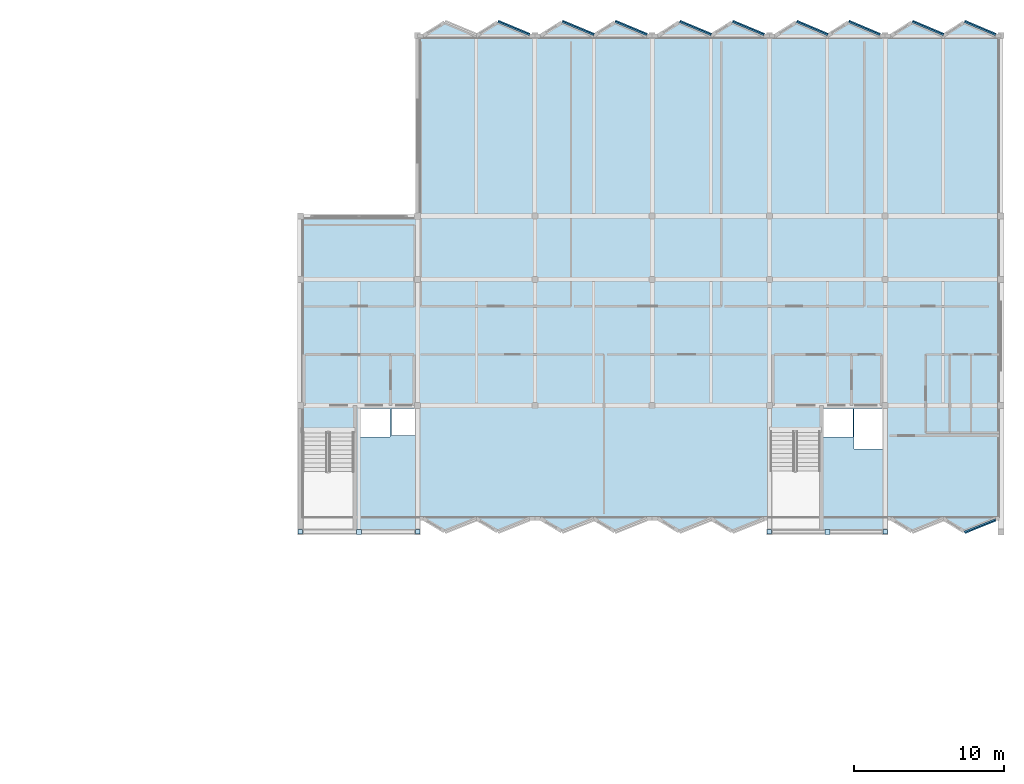
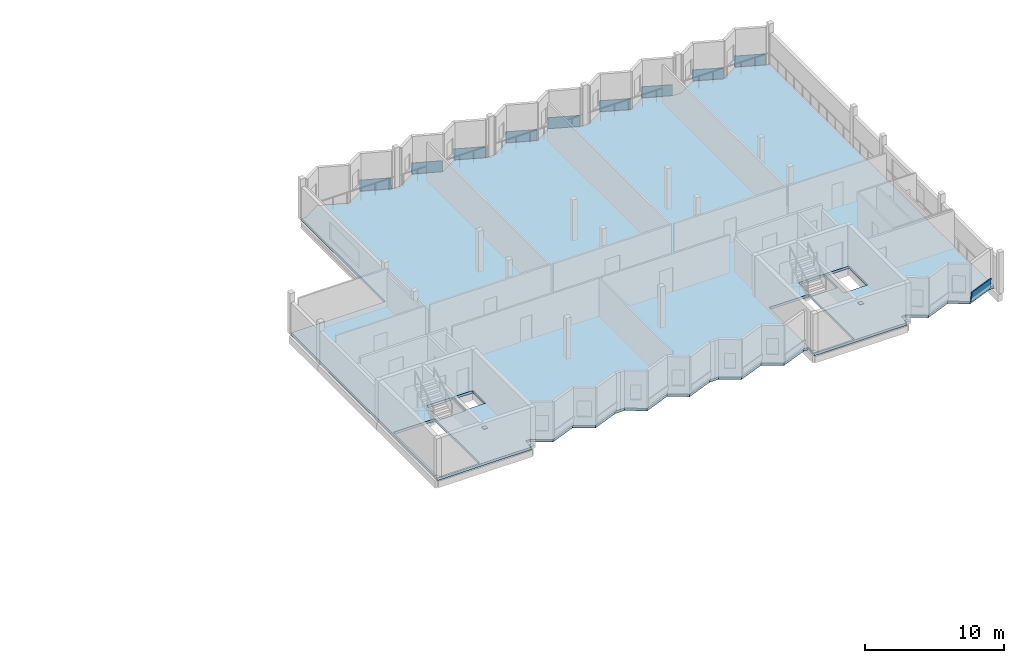
# One storey, part 5 of 15: 16 plates, 1 slab.
"""IFC4 building model written with IfcOpenShell, lengths in metres."""

import ifcopenshell
import ifcopenshell.guid

model = None  # the IFC model being written
_history = None  # IfcOwnerHistory: only IFC2X3 demands one
_inside = {}  # id of a spatial element -> (the spatial element, [elements in it])
_under = {}  # id of a project, library or spatial element -> (it, [spatial elements below it])
_declared = {}  # id of a project -> (the project, [libraries it declares])
_typed = {}  # id of a type object -> (the type object, [elements of that type])
_made_of = {}  # id of a material, layer set ... -> (it, [elements and type objects made of it])


def new_model(schema):
    """Start an empty IFC model of exactly this schema.

    Asked for "IFC4X3", IfcOpenShell would pick the latest addendum, in which some entities
    have other attributes; the version numbers below select the first issue.
    IFC2X3 requires an IfcOwnerHistory on every rooted entity: one is made here for all.
    """
    global model, _history
    if schema == "IFC4X3":
        model = ifcopenshell.file(schema_version=(4, 3, 0, 0))
    else:
        model = ifcopenshell.file(schema=schema)
    _inside.clear()
    _under.clear()
    _declared.clear()
    _typed.clear()
    _made_of.clear()
    _history = None
    if model.schema == "IFC2X3":
        org = make("IfcOrganization", Name="unknown")
        user = make(
            "IfcPersonAndOrganization",
            ThePerson=make("IfcPerson", FamilyName="unknown"),
            TheOrganization=org,
        )
        app = make(
            "IfcApplication",
            ApplicationDeveloper=org,
            Version="unknown",
            ApplicationFullName="unknown",
            ApplicationIdentifier="unknown",
        )
        _history = make(
            "IfcOwnerHistory",
            OwningUser=user,
            OwningApplication=app,
            ChangeAction="ADDED",
            CreationDate=0,
        )
    return model


def make(cls, **values):
    """One entity of the class cls with the attributes given. An attribute that is None is left unset."""
    return model.create_entity(
        cls, **{name: value for name, value in values.items() if value is not None}
    )


def rooted(cls, **values):
    """An entity with a GlobalId (a new one), such as an element, a storey or a relation."""
    return make(cls, GlobalId=ifcopenshell.guid.new(), OwnerHistory=_history, **values)


def si_unit(unit_type, name, prefix=None):
    """IfcSIUnit, for example si_unit("LENGTHUNIT", "METRE", prefix="MILLI")."""
    return make("IfcSIUnit", UnitType=unit_type, Prefix=prefix, Name=name)


def assignment(units):
    """IfcUnitAssignment: the units of a project."""
    return None if units is None else make("IfcUnitAssignment", Units=units)


def point(xyz):
    """IfcCartesianPoint."""
    return None if xyz is None else make("IfcCartesianPoint", Coordinates=xyz)


def direction(xyz):
    """IfcDirection."""
    return None if xyz is None else make("IfcDirection", DirectionRatios=xyz)


def frame(location, z_axis=None, x_axis=None):
    """IfcAxis2Placement3D, a coordinate frame: its origin and axes. An axis left out is left unset."""
    return make(
        "IfcAxis2Placement3D",
        Location=point(location),
        Axis=direction(z_axis),
        RefDirection=direction(x_axis),
    )


def frame_2d(location, x_axis=None):
    """IfcAxis2Placement2D, a coordinate frame in the plane: its origin and x axis."""
    return make(
        "IfcAxis2Placement2D", Location=point(location), RefDirection=direction(x_axis)
    )


def origin():
    """The frame at (0, 0, 0) with its axes left unset."""
    return frame((0.0, 0.0, 0.0))


def origin_2d():
    """The frame at (0, 0) in the plane with its x axis left unset."""
    return frame_2d((0.0, 0.0))


def place(relative_to, where):
    """IfcLocalPlacement: puts the frame where relative to a parent placement (None: the world)."""
    return make(
        "IfcLocalPlacement", PlacementRelTo=relative_to, RelativePlacement=where
    )


def context(
    kind, dimensions, precision=None, world=None, true_north=None, identifier=None
):
    """IfcGeometricRepresentationContext, for example the 3D "Model" context."""
    return make(
        "IfcGeometricRepresentationContext",
        ContextIdentifier=identifier,
        ContextType=kind,
        CoordinateSpaceDimension=dimensions,
        Precision=precision,
        WorldCoordinateSystem=world,
        TrueNorth=true_north,
    )


def subcontext(parent, identifier, kind, view, scale=None):
    """IfcGeometricRepresentationSubContext, for example "Body" below "Model"."""
    return make(
        "IfcGeometricRepresentationSubContext",
        ContextIdentifier=identifier,
        ContextType=kind,
        ParentContext=parent,
        TargetScale=scale,
        TargetView=view,
    )


def project(units=None, contexts=None):
    """IfcProject with its units and contexts."""
    return rooted(
        "IfcProject",
        Name="project",
        RepresentationContexts=contexts,
        UnitsInContext=assignment(units),
    )


def spatial(cls, under=None, at=None, **own):
    """A site, building, storey or space (cls), placed at a placement, below another one or the project."""
    s = rooted(cls, ObjectPlacement=at, **own)
    if under is not None:
        _under.setdefault(under.id(), (under, []))[1].append(s)
    return s


def polyline(points):
    """IfcPolyline through the points."""
    return make("IfcPolyline", Points=[point(p) for p in points])


def profile(cls, at=None, kind="AREA", **sizes):
    """A parametric profile (cls). Its sizes go by their IFC names, for example OverallWidth=200.0."""
    return make(cls, ProfileType=kind, Position=at, **sizes)


def rectangle(**sizes):
    """IfcRectangleProfileDef."""
    return profile("IfcRectangleProfileDef", **sizes)


def outline(outer, holes=None, kind="AREA"):
    """IfcArbitraryClosedProfileDef: a profile drawn as a closed curve; with holes, ...WithVoids."""
    if holes is None:
        return make("IfcArbitraryClosedProfileDef", ProfileType=kind, OuterCurve=outer)
    return make(
        "IfcArbitraryProfileDefWithVoids",
        ProfileType=kind,
        OuterCurve=outer,
        InnerCurves=holes,
    )


def extrude(swept, where, along, depth):
    """IfcExtrudedAreaSolid: the profile swept, set in the frame where, extruded along a direction by depth."""
    return make(
        "IfcExtrudedAreaSolid",
        SweptArea=swept,
        Position=where,
        ExtrudedDirection=direction(along),
        Depth=depth,
    )


def shape(context_of_items, identifier, shape_type, items):
    """IfcShapeRepresentation: the items that make up one representation, for example the "Body"."""
    return make(
        "IfcShapeRepresentation",
        ContextOfItems=context_of_items,
        RepresentationIdentifier=identifier,
        RepresentationType=shape_type,
        Items=items,
    )


def material(Name=None, Category=None):
    """IfcMaterial."""
    return make("IfcMaterial", Name=Name, Category=Category)


def layer(
    of_material, thickness, ventilated=None, Name=None, Category=None, Priority=None
):
    """IfcMaterialLayer: one layer of a wall or slab, of a material (None: an air gap)."""
    return make(
        "IfcMaterialLayer",
        Material=of_material,
        LayerThickness=thickness,
        IsVentilated=ventilated,
        Name=Name,
        Category=Category,
        Priority=Priority,
    )


def layer_set(layers, Name=None):
    """IfcMaterialLayerSet."""
    return make("IfcMaterialLayerSet", MaterialLayers=layers, LayerSetName=Name)


def made_of(thing, what):
    """Note that an element or type object is made of a material, layer set ...; save() writes the relation."""
    if what is not None:
        _made_of.setdefault(what.id(), (what, []))[1].append(thing)
    return thing


def type_object(cls, material=None, **own):
    """A type object (cls), such as IfcWallType, which elements share."""
    return made_of(rooted(cls, **own), material)


def element(
    cls,
    number,
    at=None,
    inside=None,
    cuts=None,
    type_object=None,
    material=None,
    context=None,
    identifier="Body",
    shape_type=None,
    held_by="IfcProductDefinitionShape",
    body=None,
    shapes=None,
    **own,
):
    """One element of the class cls, such as IfcWall. Its Tag is "e" and its number.

    at: its placement. inside: the storey or other place that contains it. cuts: it is an
    opening in that element (IfcRelVoidsElement). A single representation is given by context,
    identifier, shape_type and body (its items); several are given by shapes. held_by: the class
    of the entity that holds the representations. save() writes the other relations.
    """
    e = rooted(cls, Tag="e%d" % number, ObjectPlacement=at, **own)
    if body is not None:
        shapes = [shape(context, identifier, shape_type, body)]
    if shapes is not None:
        e.Representation = make(held_by, Representations=shapes)
    if inside is not None:
        _inside.setdefault(inside.id(), (inside, []))[1].append(e)
    if cuts is not None:
        rooted(
            "IfcRelVoidsElement", RelatingBuildingElement=cuts, RelatedOpeningElement=e
        )
    if type_object is not None:
        _typed.setdefault(type_object.id(), (type_object, []))[1].append(e)
    return made_of(e, material)


def aggregate(whole, parts):
    """IfcRelAggregates: a whole, such as a stair, and the parts it consists of."""
    return rooted("IfcRelAggregates", RelatingObject=whole, RelatedObjects=parts)


def save(model, path):
    """Write the relations noted so far, then the file.

    IfcRelAggregates (storeys below a building ...), IfcRelContainedInSpatialStructure (elements
    in a storey), IfcRelDefinesByType, IfcRelAssociatesMaterial and IfcRelDeclares: one each for
    every whole, place, type object, material and project.
    """
    for whole, parts in _under.values():
        aggregate(whole, parts)
    for where, things in _inside.values():
        rooted(
            "IfcRelContainedInSpatialStructure",
            RelatedElements=things,
            RelatingStructure=where,
        )
    for kind, things in _typed.values():
        rooted("IfcRelDefinesByType", RelatedObjects=things, RelatingType=kind)
    for what, things in _made_of.values():
        rooted("IfcRelAssociatesMaterial", RelatedObjects=things, RelatingMaterial=what)
    for by, libraries in _declared.values():
        rooted("IfcRelDeclares", RelatingContext=by, RelatedDefinitions=libraries)
    model.write(path)


model = new_model("IFC4")

# Units and contexts
model_context = context("Model", 3, precision=1e-05, world=origin(), true_north=direction((0.0, 1.0)))
body_context = subcontext(model_context, "Body", "Model", "MODEL_VIEW")
ifc_project = project(units=[si_unit("LENGTHUNIT", "METRE"), si_unit("AREAUNIT", "SQUARE_METRE"), si_unit("VOLUMEUNIT", "CUBIC_METRE"), si_unit("PLANEANGLEUNIT", "RADIAN"), si_unit("MASSUNIT", "GRAM", prefix="KILO")], contexts=[model_context])

# Site, building, storey
site_placement = place(None, origin())
site = spatial("IfcSite", under=ifc_project, at=site_placement, CompositionType="ELEMENT")
building_placement = place(site_placement, origin())
building = spatial("IfcBuilding", under=site, at=building_placement, Name="Vharandega Faculty of Natural Sciences", CompositionType="ELEMENT")
storey_placement = place(building_placement, frame((0.0, 0.0, 32.39990234375)))
storey = spatial("IfcBuildingStorey", under=building, at=storey_placement, Name="L08", CompositionType="ELEMENT", Elevation=32.39990234375)

# Plates
ifc_material_1 = material(Name="Steel S355", Category="steel")
ifc_layer_1 = layer(ifc_material_1, 0.02490234375, Name="Steel S355")
ifc_layer_set_1 = layer_set([ifc_layer_1], Name="Steel S355")
plate_type_1 = type_object("IfcPlateType", Name="Hollow Section End Cap Plate 25mm", PredefinedType="USERDEFINED", material=ifc_layer_set_1)
plate_1_placement = place(storey_placement, frame((114.800048828125, 64.0, 0.1376953125), z_axis=(0.0, 0.0, 1.0), x_axis=(1.0, 0.0, 0.0)))
element("IfcPlate", 1, at=plate_1_placement, inside=storey, type_object=plate_type_1, Name="Node Cap Plate CHV-J-L08 #77", ObjectType="CAP PLATE", PredefinedType="USERDEFINED", context=body_context, shape_type="SweptSolid", body=[
    extrude(rectangle(XDim=0.300048828125, YDim=0.300048828125, at=origin_2d()), origin(), (0.0, 0.0, 1.0), 0.02490234375),
])
plate_2_placement = place(storey_placement, frame((118.699951171875, 64.0, 3.03759765625), z_axis=(0.0, 0.0, 1.0), x_axis=(1.0, 0.0, 0.0)))
element("IfcPlate", 2, at=plate_2_placement, inside=storey, type_object=plate_type_1, Name="Node Cap Plate CHV-J-L08 #78", ObjectType="CAP PLATE", PredefinedType="USERDEFINED", context=body_context, shape_type="SweptSolid", body=[
    extrude(rectangle(XDim=0.320068359375, YDim=0.320068359375, at=origin_2d()), origin(), (0.0, 0.0, 1.0), 0.02490234375),
])
for number, where, z_axis, x_axis, name in (
    (3, (122.60009765625, 64.0, 0.1376953125), (0.0, 0.0, 1.0), (1.0, 0.0, 0.0), "Node Cap Plate CHV-J-L08 #79"),
    (4, (146.0, 64.0, 0.1376953125), (0.0, 0.0, 1.0), (1.0, 0.0, 0.0), "Node Cap Plate CHV-J2-L08 #107"),
):
    element("IfcPlate", number, at=place(storey_placement, frame(where, z_axis=z_axis, x_axis=x_axis)), inside=storey, type_object=plate_type_1, Name=name, ObjectType="CAP PLATE", PredefinedType="USERDEFINED", context=body_context, shape_type="SweptSolid", body=[
        extrude(rectangle(XDim=0.300048828125, YDim=0.300048828125, at=origin_2d()), origin(), (0.0, 0.0, 1.0), 0.02490234375),
    ])
plate_3_placement = place(storey_placement, frame((149.85009765625, 64.0, 3.03759765625), z_axis=(0.0, 0.0, 1.0), x_axis=(1.0, 0.0, 0.0)))
element("IfcPlate", 5, at=plate_3_placement, inside=storey, type_object=plate_type_1, Name="Node Cap Plate CHV-J2-L08 #108", ObjectType="CAP PLATE", PredefinedType="USERDEFINED", context=body_context, shape_type="SweptSolid", body=[
    extrude(rectangle(XDim=0.320068359375, YDim=0.320068359375, at=origin_2d()), origin(), (0.0, 0.0, 1.0), 0.02490234375),
])
plate_4_placement = place(storey_placement, frame((153.699951171875, 64.0, 0.1376953125), z_axis=(0.0, 0.0, 1.0), x_axis=(1.0, 0.0, 0.0)))
element("IfcPlate", 6, at=plate_4_placement, inside=storey, type_object=plate_type_1, Name="Node Cap Plate CHV-J2-L08 #109", ObjectType="CAP PLATE", PredefinedType="USERDEFINED", context=body_context, shape_type="SweptSolid", body=[
    extrude(rectangle(XDim=0.300048828125, YDim=0.300048828125, at=origin_2d()), origin(), (0.0, 0.0, 1.0), 0.02490234375),
])

# Slab
ifc_material_2 = material(Name="Cross-laminated timber CLT7-240", Category="wood")
ifc_layer_2 = layer(ifc_material_2, 0.219970703125, Name="Cross-laminated timber CLT7-240")
ifc_layer_set_2 = layer_set([ifc_layer_2], Name="Cross-laminated timber CLT7-240")
slab_type = type_object("IfcSlabType", Name="SLAB-CLT-220", PredefinedType="FLOOR", material=ifc_layer_set_2)
slab_placement = place(storey_placement, frame((0.0, 0.0, -0.219970703125)))
element("IfcSlab", 7, at=slab_placement, inside=storey, type_object=slab_type, Name="L08 V4 Floor Slab", PredefinedType="FLOOR", context=body_context, shape_type="SweptSolid", body=[
    extrude(outline(polyline([(114.800048828125, 64.0), (122.60009765625, 64.0), (122.60009765625, 64.8798828125), (122.97998046875, 64.8798828125), (124.387939453125, 64.0400390625), (126.5, 64.8798828125), (126.5, 64.8798828125), (127.907958984375, 64.0400390625), (130.02001953125, 64.8798828125), (130.780029296875, 64.8798828125), (132.18798828125, 64.0400390625), (134.300048828125, 64.8798828125), (134.300048828125, 64.8798828125), (135.7080078125, 64.0400390625), (137.820068359375, 64.8798828125), (138.580078125, 64.8798828125), (139.988037109375, 64.0400390625), (142.10009765625, 64.8798828125), (142.10009765625, 64.8798828125), (143.508056640625, 64.0400390625), (145.6201171875, 64.8798828125), (146.0, 64.8798828125), (146.0, 64.0), (153.699951171875, 64.0), (153.699951171875, 64.8798828125), (154.080078125, 64.8798828125), (155.468017578125, 64.0400390625), (157.550048828125, 64.8798828125), (157.550048828125, 64.8798828125), (158.93798828125, 64.0400390625), (161.02001953125, 64.8798828125), (161.39990234375, 64.8798828125), (161.39990234375, 64.0), (161.39990234375, 97.0), (161.02001953125, 97.0), (158.93798828125, 97.8798828125), (157.550048828125, 97.0), (157.550048828125, 97.0), (155.468017578125, 97.8798828125), (154.080078125, 97.0), (153.320068359375, 97.0), (151.238037109375, 97.8798828125), (149.85009765625, 97.0), (149.85009765625, 97.0), (147.76806640625, 97.8798828125), (146.3798828125, 97.0), (145.6201171875, 97.0), (143.508056640625, 97.8798828125), (142.10009765625, 97.0), (142.10009765625, 97.0), (139.988037109375, 97.8798828125), (138.580078125, 97.0), (137.820068359375, 97.0), (135.7080078125, 97.8798828125), (134.300048828125, 97.0), (134.300048828125, 97.0), (132.18798828125, 97.8798828125), (130.780029296875, 97.0), (130.02001953125, 97.0), (127.907958984375, 97.8798828125), (126.5, 97.0), (126.5, 97.0), (124.387939453125, 97.8798828125), (122.97998046875, 97.0), (122.60009765625, 97.0), (122.60009765625, 85.0), (114.800048828125, 85.0), (114.800048828125, 64.0)]), holes=[polyline([(114.93994140625, 70.544921875), (114.93994140625, 64.139892578125), (118.360107421875, 64.139892578125), (118.360107421875, 70.544921875), (114.93994140625, 70.544921875)]), polyline([(118.64990234375, 70.300048828125), (120.75, 70.300048828125), (120.75, 72.219970703125), (118.64990234375, 72.219970703125), (118.64990234375, 70.300048828125)]), polyline([(120.85009765625, 70.39990234375), (122.47998046875, 70.39990234375), (122.47998046875, 72.219970703125), (120.85009765625, 72.219970703125), (120.85009765625, 70.39990234375)]), polyline([(146.06005859375, 70.594970703125), (146.06005859375, 64.139892578125), (149.3798828125, 64.139892578125), (149.3798828125, 70.594970703125), (146.06005859375, 70.594970703125)]), polyline([(149.449951171875, 70.300048828125), (151.570068359375, 70.300048828125), (151.570068359375, 72.219970703125), (149.449951171875, 72.219970703125), (149.449951171875, 70.300048828125)]), polyline([(151.6201171875, 69.5), (153.639892578125, 69.5), (153.639892578125, 72.219970703125), (151.6201171875, 72.219970703125), (151.6201171875, 69.5)])]), origin(), (0.0, 0.0, 1.0), 0.219970703125),
])

# Plates
ifc_material_3 = material(Name="White precast concrete C40/50", Category="concrete")
ifc_layer_3 = layer(ifc_material_3, 0.080078125, Name="White precast concrete C40/50")
ifc_layer_set_3 = layer_set([ifc_layer_3], Name="White precast concrete C40/50")
plate_type_2 = type_object("IfcPlateType", Name="Sawtooth Tilted White Precast Prism 80", PredefinedType="USERDEFINED", material=ifc_layer_set_3)
for number, where, z_axis, x_axis, name in (
    (8, (127.907958984375, 97.8798828125, 0.0), (-0.382131449595, -0.917136682049, 0.113295461824), (0.043496900523, 0.104613040576, 0.993561337506), "Sawtooth Tilted Precast Prism L08 N02"),
    (9, (132.18798828125, 97.8798828125, 0.0), (-0.382131449595, -0.917136682049, 0.113295461824), (0.043496900523, 0.104613040576, 0.993561337506), "Sawtooth Tilted Precast Prism L08 N03"),
    (10, (135.7080078125, 97.8798828125, 0.0), (-0.382131449595, -0.917136682049, 0.113295461824), (0.043496900523, 0.104613040576, 0.993561337506), "Sawtooth Tilted Precast Prism L08 N04"),
    (11, (139.988037109375, 97.8798828125, 0.0), (-0.382131449595, -0.917136682049, 0.113295461824), (0.043496900523, 0.104613040576, 0.993561337506), "Sawtooth Tilted Precast Prism L08 N05"),
    (12, (143.508056640625, 97.8798828125, 0.0), (-0.382131449595, -0.917136682049, 0.113295461824), (0.043496900523, 0.104613040576, 0.993561337506), "Sawtooth Tilted Precast Prism L08 N06"),
):
    element("IfcPlate", number, at=place(storey_placement, frame(where, z_axis=z_axis, x_axis=x_axis)), inside=storey, type_object=plate_type_2, Name=name, ObjectType="FACADE PRISM", PredefinedType="USERDEFINED", context=body_context, shape_type="SweptSolid", body=[
        extrude(outline(polyline([(0.0, 0.0), (0.8858432830590729, -2.4123498337802474e-18), (0.8856386139049282, -2.2881047075821503), (-0.00017912886103543801, -2.288010811333226), (0.0, 0.0)])), origin(), (0.0, 0.0, -1.0), 0.080078125),
    ])
plate_5_placement = place(storey_placement, frame((147.76806640625, 97.8798828125, 0.0), z_axis=(-0.386819123721, -0.915187539768, 0.113149160742), x_axis=(0.043772749275, 0.104339681729, 0.993577967367)))
element("IfcPlate", 13, at=plate_5_placement, inside=storey, type_object=plate_type_2, Name="Sawtooth Tilted Precast Prism L08 N07", ObjectType="FACADE PRISM", PredefinedType="USERDEFINED", context=body_context, shape_type="SweptSolid", body=[
    extrude(outline(polyline([(0.0, 0.0), (0.8858284128097864, -1.2088854223213374e-17), (0.8851324785280927, -2.2604152456547437), (-0.0006704607265840684, -2.2603202046858644), (0.0, 0.0)])), origin(), (0.0, 0.0, -1.0), 0.080078125),
])
plate_6_placement = place(storey_placement, frame((151.238037109375, 97.8798828125, 0.0), z_axis=(-0.386836017729, -0.915173849683, 0.113202121202), x_axis=(0.044027200737, 0.104289636995, 0.993571978878)))
element("IfcPlate", 14, at=plate_6_placement, inside=storey, type_object=plate_type_2, Name="Sawtooth Tilted Precast Prism L08 N08", ObjectType="FACADE PRISM", PredefinedType="USERDEFINED", context=body_context, shape_type="SweptSolid", body=[
    extrude(outline(polyline([(0.0, 0.0), (0.885839137791189, -3.415236843329339e-18), (0.885706276295778, -2.260190474155651), (-9.665132994901571e-05, -2.260320299229094), (0.0, 0.0)])), origin(), (0.0, 0.0, -1.0), 0.080078125),
])
for number, where, z_axis, x_axis, name in (
    (15, (155.468017578125, 97.8798828125, 0.0), (-0.386814425214, -0.915176423422, 0.113255085797), (0.04404782393, 0.104338420428, 0.993565943071), "Sawtooth Tilted Precast Prism L08 N09"),
    (16, (158.93798828125, 97.8798828125, 0.0), (-0.386814425214, -0.915176423422, 0.113255085797), (0.04404782393, 0.104338420428, 0.993565943071), "Sawtooth Tilted Precast Prism L08 N10"),
):
    element("IfcPlate", number, at=place(storey_placement, frame(where, z_axis=z_axis, x_axis=x_axis)), inside=storey, type_object=plate_type_2, Name=name, ObjectType="FACADE PRISM", PredefinedType="USERDEFINED", context=body_context, shape_type="SweptSolid", body=[
        extrude(outline(polyline([(0.0, 0.0), (0.8858391450049449, -4.689174395999807e-18), (0.8857170348561202, -2.260415349488305), (-9.663690164997407e-05, -2.260320302056845), (0.0, 0.0)])), origin(), (0.0, 0.0, -1.0), 0.080078125),
    ])
plate_7_placement = place(storey_placement, frame((161.02001953125, 64.8798828125, 0.0), z_axis=(-0.371733749525, 0.921419972664, 0.113133785583), x_axis=(0.042491999403, -0.10485091572, 0.993579747911)))
element("IfcPlate", 17, at=plate_7_placement, inside=storey, type_object=plate_type_2, Name="Sawtooth Tilted Precast Prism L08 S08", ObjectType="FACADE PRISM", PredefinedType="USERDEFINED", context=body_context, shape_type="SweptSolid", body=[
    extrude(outline(polyline([(0.0, 0.0), (0.8858012956791438, 3.2526065174565133e-18), (0.8854156096633148, -2.245128421392932), (-0.00041128438392465383, -2.245037075102431), (0.0, 0.0)])), origin(), (0.0, 0.0, -1.0), 0.080078125),
])

save(model, "model.ifc")
